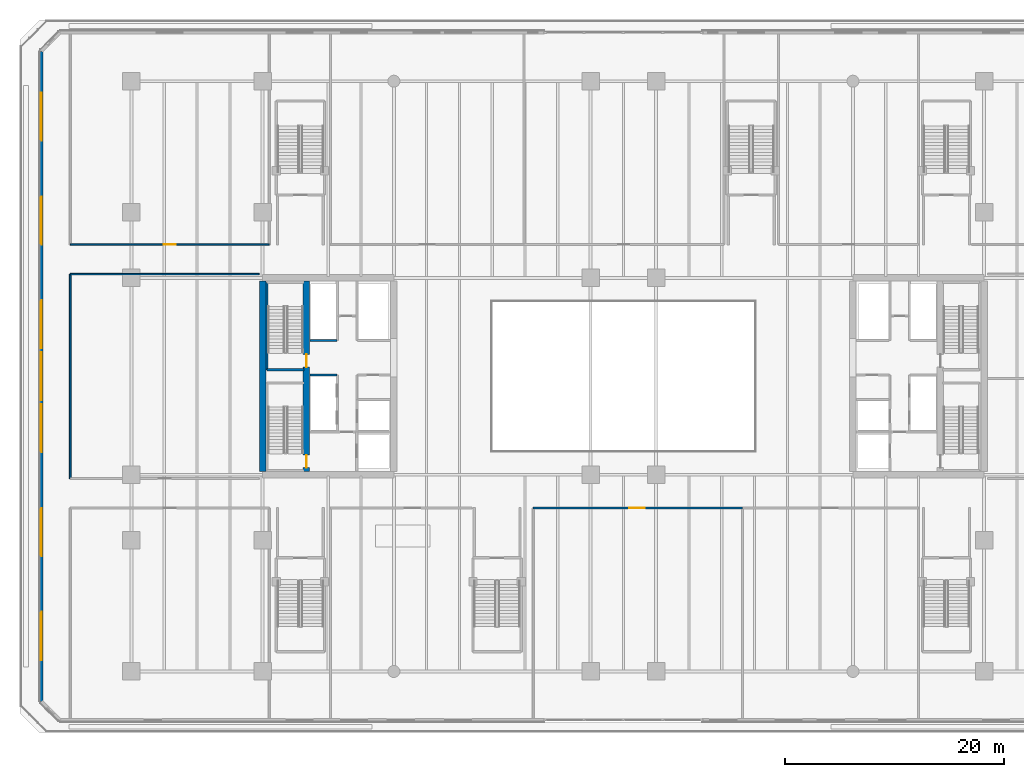
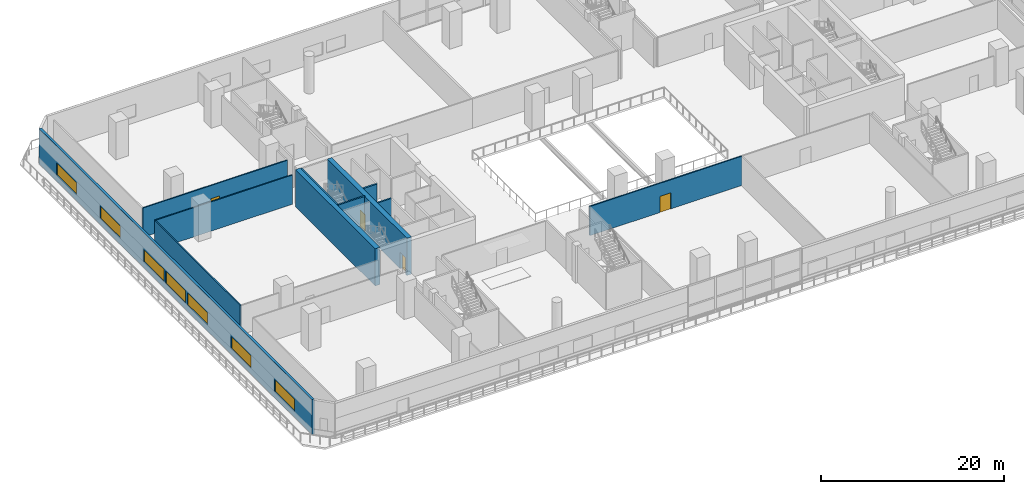
# One storey, part 12 of 27: 11 walls, 7 windows, 4 doors, 11 openings.
"""IFC4 building model written with IfcOpenShell, lengths in metres."""

from ifc_helpers import new_model, si_unit, direction, frame, frame_2d, origin, place, context, subcontext, project, spatial, rectangle, extrude, material, layer, layer_set, type_object, element, fill, save


model = new_model("IFC4")

# Units and contexts
model_context = context("Model", 3, precision=1e-05, world=origin(), true_north=direction((0.0, 1.0)))
body_context = subcontext(model_context, "Body", "Model", "MODEL_VIEW")
ifc_project = project(units=[si_unit("LENGTHUNIT", "METRE"), si_unit("AREAUNIT", "SQUARE_METRE"), si_unit("VOLUMEUNIT", "CUBIC_METRE"), si_unit("PLANEANGLEUNIT", "RADIAN"), si_unit("MASSUNIT", "GRAM", prefix="KILO")], contexts=[model_context])

# Site, building, storey
site_placement = place(None, origin())
site = spatial("IfcSite", under=ifc_project, at=site_placement, CompositionType="ELEMENT")
building_placement = place(site_placement, origin())
building = spatial("IfcBuilding", under=site, at=building_placement, Name="Tanjung Sevakor Pilgrim Tower", CompositionType="ELEMENT")
storey_placement = place(building_placement, frame((0.0, 0.0, 9.89990234375)))
storey = spatial("IfcBuildingStorey", under=building, at=storey_placement, Name="L03", CompositionType="ELEMENT", Elevation=9.89990234375)

# Wall
ifc_material_1 = material(Name="Concrete C60/75", Category="concrete")
ifc_layer_1 = layer(ifc_material_1, 0.60009765625)
ifc_layer_set_1 = layer_set([ifc_layer_1], Name="WALL-CW-600")
wall_type_1 = type_object("IfcWallType", Name="WALL-CW-600", PredefinedType="SHEAR", material=ifc_layer_set_1)
wall_1_placement = place(storey_placement, frame((24.0, 24.89990234375, 0.0), z_axis=(0.0, 0.0, 1.0), x_axis=(0.0, 1.0, 0.0)))
element("IfcWall", 1, at=wall_1_placement, inside=storey, type_object=wall_type_1, Name="L03 W Core Outer Shear Wall", PredefinedType="SHEAR", context=body_context, shape_type="SweptSolid", body=[
    extrude(rectangle(XDim=17.400146484375, YDim=0.60009765625, at=frame_2d((8.7001953125, 0.0))), origin(), (0.0, 0.0, 1.0), 4.9501953125),
])

# Wall, openings, doors
wall_2_placement = place(storey_placement, frame((28.0, 24.89990234375, 0.0), z_axis=(0.0, 0.0, 1.0), x_axis=(0.0, 1.0, 0.0)))
wall_2 = element("IfcWall", 2, at=wall_2_placement, inside=storey, type_object=wall_type_1, Name="L03 W Core Stair Spine Wall", PredefinedType="SHEAR", context=body_context, shape_type="SweptSolid", body=[
    extrude(rectangle(XDim=17.400146484375, YDim=0.60009765625, at=frame_2d((8.7001953125, 0.0))), origin(), (0.0, 0.0, 1.0), 4.9501953125),
])
opening_1_placement = place(wall_2_placement, frame((0.35009765625, 0.0, 0.0)))
opening_1 = element("IfcOpeningElement", 3, at=opening_1_placement, cuts=wall_2, Name="Opening ID-ST1", PredefinedType="OPENING", context=body_context, shape_type="SweptSolid", body=[
    extrude(rectangle(XDim=1.14990234375, YDim=2.14990234375, at=frame_2d((0.574951171875, 1.074951171875))), frame((0.0, 0.31005859375, 0.0), z_axis=(0.0, -1.0, 0.0), x_axis=(1.0, 0.0, 0.0)), (0.0, 0.0, 1.0), 0.6201171875),
])
opening_2_placement = place(wall_2_placement, frame((9.550048828125, 0.0, 0.0)))
opening_2 = element("IfcOpeningElement", 4, at=opening_2_placement, cuts=wall_2, Name="Opening ID-ST1", PredefinedType="OPENING", context=body_context, shape_type="SweptSolid", body=[
    extrude(rectangle(XDim=1.14990234375, YDim=2.14990234375, at=frame_2d((0.574951171875, 1.074951171875))), frame((0.0, 0.31005859375, 0.0), z_axis=(0.0, -1.0, 0.0), x_axis=(1.0, 0.0, 0.0)), (0.0, 0.0, 1.0), 0.6201171875),
])
ifc_material_2 = material(Name="Fire-Rated Steel S355J2", Category="steel")
door_type_1 = type_object("IfcDoorType", Name="DT-FIRE-1150", OperationType="NOTDEFINED", PredefinedType="DOOR", material=ifc_material_2)
door_1_placement = place(opening_1_placement, origin())
door_1 = element("IfcDoor", 5, at=door_1_placement, inside=storey, type_object=door_type_1, Name="L03 TS-W1 Stair Fire Door", OperationType="SINGLE_SWING_RIGHT", OverallHeight=2.14990234375, OverallWidth=1.14990234375, PredefinedType="DOOR", context=body_context, shape_type="SweptSolid", body=[
    extrude(rectangle(XDim=1.14990234375, YDim=2.14990234375, at=frame_2d((0.574951171875, 1.074951171875))), frame((0.0, 0.02490234375, 0.0), z_axis=(0.0, -1.0, 0.0), x_axis=(1.0, 0.0, 0.0)), (0.0, 0.0, 1.0), 0.050048828125),
])
fill(opening_1, door_1)
door_2_placement = place(opening_2_placement, origin())
door_2 = element("IfcDoor", 6, at=door_2_placement, inside=storey, type_object=door_type_1, Name="L03 TS-W2 Stair Fire Door", OperationType="SINGLE_SWING_LEFT", OverallHeight=2.14990234375, OverallWidth=1.14990234375, PredefinedType="DOOR", context=body_context, shape_type="SweptSolid", body=[
    extrude(rectangle(XDim=1.14990234375, YDim=2.14990234375, at=frame_2d((0.574951171875, 1.074951171875))), frame((0.0, 0.02490234375, 0.0), z_axis=(0.0, -1.0, 0.0), x_axis=(1.0, 0.0, 0.0)), (0.0, 0.0, 1.0), 0.050048828125),
])
fill(opening_2, door_2)

# Wall, opening, door
ifc_material_3 = material(Name="Concrete C40/50", Category="concrete")
ifc_layer_2 = layer(ifc_material_3, 0.14990234375)
ifc_layer_set_2 = layer_set([ifc_layer_2], Name="WT-COMP-150")
wall_type_2 = type_object("IfcWallType", Name="WT-COMP-150", PredefinedType="SOLIDWALL", material=ifc_layer_set_2)
wall_3_placement = place(storey_placement, frame((48.75, 21.550048828125, 0.0), z_axis=(0.0, 0.0, 1.0), x_axis=(1.0, 0.0, 0.0)))
wall_3 = element("IfcWall", 7, at=wall_3_placement, inside=storey, type_object=wall_type_2, Name="L03 Partition IW-L03-044", PredefinedType="SOLIDWALL", context=body_context, shape_type="SweptSolid", body=[
    extrude(rectangle(XDim=19.14990234375, YDim=0.14990234375, at=frame_2d((9.574951171875, 0.0))), origin(), (0.0, 0.0, 1.0), 3.889892578125),
])
opening_3_placement = place(wall_3_placement, frame((8.800048828125, 0.0, 0.0)))
opening_3 = element("IfcOpeningElement", 8, at=opening_3_placement, cuts=wall_3, Name="Opening ID-HD1", PredefinedType="OPENING", context=body_context, shape_type="SweptSolid", body=[
    extrude(rectangle(XDim=1.39990234375, YDim=2.14990234375, at=frame_2d((0.699951171875, 1.074951171875))), frame((0.0, 0.0849609375, 0.0), z_axis=(0.0, -1.0, 0.0), x_axis=(1.0, 0.0, 0.0)), (0.0, 0.0, 1.0), 0.169921875),
])
ifc_material_4 = material(Name="Hardwood Timber", Category="wood")
door_type_2 = type_object("IfcDoorType", Name="DT-INT-1400", OperationType="DOUBLE_DOOR_SINGLE_SWING", PredefinedType="DOOR", material=ifc_material_4)
door_3_placement = place(opening_3_placement, origin())
door_3 = element("IfcDoor", 9, at=door_3_placement, inside=storey, type_object=door_type_2, Name="L03 Mid Dining Door", OperationType="SINGLE_SWING_RIGHT", OverallHeight=2.14990234375, OverallWidth=1.39990234375, PredefinedType="DOOR", context=body_context, shape_type="SweptSolid", body=[
    extrude(rectangle(XDim=1.39990234375, YDim=2.14990234375, at=frame_2d((0.699951171875, 1.074951171875))), frame((0.0, 0.02490234375, 0.0), z_axis=(0.0, -1.0, 0.0), x_axis=(1.0, 0.0, 0.0)), (0.0, 0.0, 1.0), 0.050048828125),
])
fill(opening_3, door_3)

# Walls
wall_4_placement = place(storey_placement, frame((6.39990234375, 42.949951171875, 0.0), z_axis=(0.0, 0.0, 1.0), x_axis=(1.0, 0.0, 0.0)))
element("IfcWall", 10, at=wall_4_placement, inside=storey, type_object=wall_type_2, Name="L03 Partition IW-L03-063", PredefinedType="SOLIDWALL", context=body_context, shape_type="SweptSolid", body=[
    extrude(rectangle(XDim=17.280029296875, YDim=0.14990234375, at=frame_2d((8.64013671875, 0.0))), origin(), (0.0, 0.0, 1.0), 3.889892578125),
])
wall_5_placement = place(storey_placement, frame((6.39990234375, 24.25, 0.0), z_axis=(0.0, 0.0, 1.0), x_axis=(0.0, 1.0, 0.0)))
element("IfcWall", 11, at=wall_5_placement, inside=storey, type_object=wall_type_2, Name="L03 Partition IW-L03-064", PredefinedType="SOLIDWALL", context=body_context, shape_type="SweptSolid", body=[
    extrude(rectangle(XDim=18.699951171875, YDim=0.14990234375, at=frame_2d((9.35009765625, 0.0))), origin(), (0.0, 0.0, 1.0), 3.889892578125),
])

# Wall, opening, door
wall_6_placement = place(storey_placement, frame((6.39990234375, 45.64990234375, 0.0), z_axis=(0.0, 0.0, 1.0), x_axis=(1.0, 0.0, 0.0)))
wall_6 = element("IfcWall", 12, at=wall_6_placement, inside=storey, type_object=wall_type_2, Name="L03 Partition IW-L03-065", PredefinedType="SOLIDWALL", context=body_context, shape_type="SweptSolid", body=[
    extrude(rectangle(XDim=18.2001953125, YDim=0.14990234375, at=frame_2d((9.10009765625, 0.0))), origin(), (0.0, 0.0, 1.0), 3.889892578125),
])
opening_4_placement = place(wall_6_placement, frame((8.550048828125, 0.0, 0.0)))
opening_4 = element("IfcOpeningElement", 13, at=opening_4_placement, cuts=wall_6, Name="Opening ID-RM2", PredefinedType="OPENING", context=body_context, shape_type="SweptSolid", body=[
    extrude(rectangle(XDim=1.10009765625, YDim=2.14990234375, at=frame_2d((0.550048828125, 1.074951171875))), frame((0.0, 0.0849609375, 0.0), z_axis=(0.0, -1.0, 0.0), x_axis=(1.0, 0.0, 0.0)), (0.0, 0.0, 1.0), 0.169921875),
])
ifc_material_5 = material(Name="Hardwood Timber", Category="wood")
door_type_3 = type_object("IfcDoorType", Name="DT-INT-1100", OperationType="NOTDEFINED", PredefinedType="DOOR", material=ifc_material_5)
door_4_placement = place(opening_4_placement, origin())
door_4 = element("IfcDoor", 14, at=door_4_placement, inside=storey, type_object=door_type_3, Name="L03 NW Seminar Door", OperationType="SINGLE_SWING_RIGHT", OverallHeight=2.14990234375, OverallWidth=1.10009765625, PredefinedType="DOOR", context=body_context, shape_type="SweptSolid", body=[
    extrude(rectangle(XDim=1.10009765625, YDim=2.14990234375, at=frame_2d((0.550048828125, 1.074951171875))), frame((0.0, 0.02490234375, 0.0), z_axis=(0.0, -1.0, 0.0), x_axis=(1.0, 0.0, 0.0)), (0.0, 0.0, 1.0), 0.050048828125),
])
fill(opening_4, door_4)

# Wall, openings, windows
ifc_material_6 = material(Name="Precast concrete C45/55", Category="concrete")
ifc_layer_3 = layer(ifc_material_6, 0.300048828125)
ifc_layer_set_3 = layer_set([ifc_layer_3], Name="WT-EW-STN1")
wall_type_3 = type_object("IfcWallType", Name="WT-EW-STN1", PredefinedType="SOLIDWALL", material=ifc_layer_set_3)
wall_7_placement = place(storey_placement, frame((3.75, 63.337890625, 0.0), z_axis=(0.0, 0.0, 1.0), x_axis=(0.0, -1.0, 0.0)))
wall_7 = element("IfcWall", 15, at=wall_7_placement, inside=storey, type_object=wall_type_3, Name="L03 MAIN Exterior Wall 7", PredefinedType="SOLIDWALL", context=body_context, shape_type="SweptSolid", body=[
    extrude(rectangle(XDim=59.475830078125, YDim=0.300048828125, at=frame_2d((29.73779296875, 0.0))), origin(), (0.0, 0.0, 1.0), 4.669921875),
])
opening_5_placement = place(wall_7_placement, frame((27.537841796875, 0.0, 0.780029296875)))
opening_5 = element("IfcOpeningElement", 16, at=opening_5_placement, cuts=wall_7, Name="Opening WN-ENDW-1660", PredefinedType="OPENING", context=body_context, shape_type="SweptSolid", body=[
    extrude(rectangle(XDim=4.39990234375, YDim=1.659912109375, at=frame_2d((2.199951171875, 0.830078125))), frame((0.0, 0.159912109375, 0.0), z_axis=(0.0, -1.0, 0.0), x_axis=(1.0, 0.0, 0.0)), (0.0, 0.0, 1.0), 0.320068359375),
])
opening_6_placement = place(wall_7_placement, frame((3.787841796875, 0.0, 0.780029296875)))
opening_6 = element("IfcOpeningElement", 17, at=opening_6_placement, cuts=wall_7, Name="Opening WN-ENDW-1660", PredefinedType="OPENING", context=body_context, shape_type="SweptSolid", body=[
    extrude(rectangle(XDim=4.39990234375, YDim=1.659912109375, at=frame_2d((2.199951171875, 0.830078125))), frame((0.0, 0.159912109375, 0.0), z_axis=(0.0, -1.0, 0.0), x_axis=(1.0, 0.0, 0.0)), (0.0, 0.0, 1.0), 0.320068359375),
])
opening_7_placement = place(wall_7_placement, frame((13.287841796875, 0.0, 0.780029296875)))
opening_7 = element("IfcOpeningElement", 18, at=opening_7_placement, cuts=wall_7, Name="Opening WN-ENDW-1660", PredefinedType="OPENING", context=body_context, shape_type="SweptSolid", body=[
    extrude(rectangle(XDim=4.39990234375, YDim=1.659912109375, at=frame_2d((2.199951171875, 0.830078125))), frame((0.0, 0.159912109375, 0.0), z_axis=(0.0, -1.0, 0.0), x_axis=(1.0, 0.0, 0.0)), (0.0, 0.0, 1.0), 0.320068359375),
])
opening_8_placement = place(wall_7_placement, frame((22.787841796875, 0.0, 0.780029296875)))
opening_8 = element("IfcOpeningElement", 19, at=opening_8_placement, cuts=wall_7, Name="Opening WN-ENDW-1660", PredefinedType="OPENING", context=body_context, shape_type="SweptSolid", body=[
    extrude(rectangle(XDim=4.39990234375, YDim=1.659912109375, at=frame_2d((2.199951171875, 0.830078125))), frame((0.0, 0.159912109375, 0.0), z_axis=(0.0, -1.0, 0.0), x_axis=(1.0, 0.0, 0.0)), (0.0, 0.0, 1.0), 0.320068359375),
])
opening_9_placement = place(wall_7_placement, frame((32.287841796875, 0.0, 0.780029296875)))
opening_9 = element("IfcOpeningElement", 20, at=opening_9_placement, cuts=wall_7, Name="Opening WN-ENDW-1660", PredefinedType="OPENING", context=body_context, shape_type="SweptSolid", body=[
    extrude(rectangle(XDim=4.39990234375, YDim=1.659912109375, at=frame_2d((2.199951171875, 0.830078125))), frame((0.0, 0.159912109375, 0.0), z_axis=(0.0, -1.0, 0.0), x_axis=(1.0, 0.0, 0.0)), (0.0, 0.0, 1.0), 0.320068359375),
])
opening_10_placement = place(wall_7_placement, frame((41.787841796875, 0.0, 0.780029296875)))
opening_10 = element("IfcOpeningElement", 21, at=opening_10_placement, cuts=wall_7, Name="Opening WN-ENDW-1660", PredefinedType="OPENING", context=body_context, shape_type="SweptSolid", body=[
    extrude(rectangle(XDim=4.39990234375, YDim=1.659912109375, at=frame_2d((2.199951171875, 0.830078125))), frame((0.0, 0.159912109375, 0.0), z_axis=(0.0, -1.0, 0.0), x_axis=(1.0, 0.0, 0.0)), (0.0, 0.0, 1.0), 0.320068359375),
])
opening_11_placement = place(wall_7_placement, frame((51.287841796875, 0.0, 0.780029296875)))
opening_11 = element("IfcOpeningElement", 22, at=opening_11_placement, cuts=wall_7, Name="Opening WN-ENDW-1660", PredefinedType="OPENING", context=body_context, shape_type="SweptSolid", body=[
    extrude(rectangle(XDim=4.39990234375, YDim=1.659912109375, at=frame_2d((2.199951171875, 0.830078125))), frame((0.0, 0.159912109375, 0.0), z_axis=(0.0, -1.0, 0.0), x_axis=(1.0, 0.0, 0.0)), (0.0, 0.0, 1.0), 0.320068359375),
])
ifc_material_7 = material(Name="Thermally Broken Aluminium and Low-E Glass", Category="aluminium")
window_type = type_object("IfcWindowType", Name="WTYP-WN-ENDW-1660", PartitioningType="DOUBLE_PANEL_VERTICAL", PredefinedType="WINDOW", material=ifc_material_7)
window_1_placement = place(opening_5_placement, origin())
window_1 = element("IfcWindow", 23, at=window_1_placement, inside=storey, type_object=window_type, Name="L03 Facade Window 01", OverallHeight=1.659912109375, OverallWidth=4.39990234375, PartitioningType="SINGLE_PANEL", PredefinedType="WINDOW", context=body_context, shape_type="SweptSolid", body=[
    extrude(rectangle(XDim=4.39990234375, YDim=1.659912109375, at=frame_2d((2.199951171875, 0.830078125))), frame((0.0, 0.030029296875, 0.0), z_axis=(0.0, -1.0, 0.0), x_axis=(1.0, 0.0, 0.0)), (0.0, 0.0, 1.0), 0.06005859375),
])
fill(opening_5, window_1)
window_2_placement = place(opening_6_placement, origin())
window_2 = element("IfcWindow", 24, at=window_2_placement, inside=storey, type_object=window_type, Name="L03 Facade Window 02", OverallHeight=1.659912109375, OverallWidth=4.39990234375, PartitioningType="SINGLE_PANEL", PredefinedType="WINDOW", context=body_context, shape_type="SweptSolid", body=[
    extrude(rectangle(XDim=4.39990234375, YDim=1.659912109375, at=frame_2d((2.199951171875, 0.830078125))), frame((0.0, 0.030029296875, 0.0), z_axis=(0.0, -1.0, 0.0), x_axis=(1.0, 0.0, 0.0)), (0.0, 0.0, 1.0), 0.06005859375),
])
fill(opening_6, window_2)
window_3_placement = place(opening_7_placement, origin())
window_3 = element("IfcWindow", 25, at=window_3_placement, inside=storey, type_object=window_type, Name="L03 Facade Window 03", OverallHeight=1.659912109375, OverallWidth=4.39990234375, PartitioningType="SINGLE_PANEL", PredefinedType="WINDOW", context=body_context, shape_type="SweptSolid", body=[
    extrude(rectangle(XDim=4.39990234375, YDim=1.659912109375, at=frame_2d((2.199951171875, 0.830078125))), frame((0.0, 0.030029296875, 0.0), z_axis=(0.0, -1.0, 0.0), x_axis=(1.0, 0.0, 0.0)), (0.0, 0.0, 1.0), 0.06005859375),
])
fill(opening_7, window_3)
window_4_placement = place(opening_8_placement, origin())
window_4 = element("IfcWindow", 26, at=window_4_placement, inside=storey, type_object=window_type, Name="L03 Facade Window 04", OverallHeight=1.659912109375, OverallWidth=4.39990234375, PartitioningType="SINGLE_PANEL", PredefinedType="WINDOW", context=body_context, shape_type="SweptSolid", body=[
    extrude(rectangle(XDim=4.39990234375, YDim=1.659912109375, at=frame_2d((2.199951171875, 0.830078125))), frame((0.0, 0.030029296875, 0.0), z_axis=(0.0, -1.0, 0.0), x_axis=(1.0, 0.0, 0.0)), (0.0, 0.0, 1.0), 0.06005859375),
])
fill(opening_8, window_4)
window_5_placement = place(opening_9_placement, origin())
window_5 = element("IfcWindow", 27, at=window_5_placement, inside=storey, type_object=window_type, Name="L03 Facade Window 05", OverallHeight=1.659912109375, OverallWidth=4.39990234375, PartitioningType="SINGLE_PANEL", PredefinedType="WINDOW", context=body_context, shape_type="SweptSolid", body=[
    extrude(rectangle(XDim=4.39990234375, YDim=1.659912109375, at=frame_2d((2.199951171875, 0.830078125))), frame((0.0, 0.030029296875, 0.0), z_axis=(0.0, -1.0, 0.0), x_axis=(1.0, 0.0, 0.0)), (0.0, 0.0, 1.0), 0.06005859375),
])
fill(opening_9, window_5)
window_6_placement = place(opening_10_placement, origin())
window_6 = element("IfcWindow", 28, at=window_6_placement, inside=storey, type_object=window_type, Name="L03 Facade Window 06", OverallHeight=1.659912109375, OverallWidth=4.39990234375, PartitioningType="SINGLE_PANEL", PredefinedType="WINDOW", context=body_context, shape_type="SweptSolid", body=[
    extrude(rectangle(XDim=4.39990234375, YDim=1.659912109375, at=frame_2d((2.199951171875, 0.830078125))), frame((0.0, 0.030029296875, 0.0), z_axis=(0.0, -1.0, 0.0), x_axis=(1.0, 0.0, 0.0)), (0.0, 0.0, 1.0), 0.06005859375),
])
fill(opening_10, window_6)
window_7_placement = place(opening_11_placement, origin())
window_7 = element("IfcWindow", 29, at=window_7_placement, inside=storey, type_object=window_type, Name="L03 Facade Window 07", OverallHeight=1.659912109375, OverallWidth=4.39990234375, PartitioningType="SINGLE_PANEL", PredefinedType="WINDOW", context=body_context, shape_type="SweptSolid", body=[
    extrude(rectangle(XDim=4.39990234375, YDim=1.659912109375, at=frame_2d((2.199951171875, 0.830078125))), frame((0.0, 0.030029296875, 0.0), z_axis=(0.0, -1.0, 0.0), x_axis=(1.0, 0.0, 0.0)), (0.0, 0.0, 1.0), 0.06005859375),
])
fill(opening_11, window_7)

# Walls
ifc_material_8 = material(Name="Concrete C40/50", Category="concrete")
ifc_layer_4 = layer(ifc_material_8, 0.199951171875)
ifc_layer_set_4 = layer_set([ifc_layer_4], Name="WT-FIRE-200")
wall_type_4 = type_object("IfcWallType", Name="WT-FIRE-200", PredefinedType="SOLIDWALL", material=ifc_layer_set_4)
wall_8_placement = place(storey_placement, frame((24.39990234375, 34.199951171875, 0.0), z_axis=(0.0, 0.0, 1.0), x_axis=(1.0, 0.0, 0.0)))
element("IfcWall", 30, at=wall_8_placement, inside=storey, type_object=wall_type_4, Name="L03 TS-W2 Shaft Wall 1", PredefinedType="SOLIDWALL", context=body_context, shape_type="SweptSolid", body=[
    extrude(rectangle(XDim=3.400146484375, YDim=0.199951171875, at=frame_2d((1.7001953125, 0.0))), origin(), (0.0, 0.0, 1.0), 4.9501953125),
])
wall_9_placement = place(storey_placement, frame((24.39990234375, 42.199951171875, 0.0), z_axis=(0.0, 0.0, 1.0), x_axis=(0.0, -1.0, 0.0)))
element("IfcWall", 31, at=wall_9_placement, inside=storey, type_object=wall_type_4, Name="L03 TS-W2 Shaft Wall 3", PredefinedType="SOLIDWALL", context=body_context, shape_type="SweptSolid", body=[
    extrude(rectangle(XDim=8.0, YDim=0.199951171875, at=frame_2d((4.0, 0.0))), origin(), (0.0, 0.0, 1.0), 4.9501953125),
])
ifc_material_9 = material(Name="Concrete C40/50", Category="concrete")
ifc_layer_5 = layer(ifc_material_9, 0.199951171875)
ifc_layer_set_5 = layer_set([ifc_layer_5], Name="WT-FPRT-200")
wall_type_5 = type_object("IfcWallType", Name="WT-FPRT-200", PredefinedType="SOLIDWALL", material=ifc_layer_set_5)
for number, where, z_axis, x_axis, name in (
    (32, (28.320068359375, 33.719970703125, 0.0), (0.0, 0.0, 1.0), (1.0, 0.0, 0.0), "L03 Partition IW-L03-004"),
    (33, (28.320068359375, 36.8798828125, 0.0), (0.0, 0.0, 1.0), (1.0, 0.0, 0.0), "L03 Partition IW-L03-010"),
):
    element("IfcWall", number, at=place(storey_placement, frame(where, z_axis=z_axis, x_axis=x_axis)), inside=storey, type_object=wall_type_5, Name=name, PredefinedType="SOLIDWALL", context=body_context, shape_type="SweptSolid", body=[
        extrude(rectangle(XDim=2.47998046875, YDim=0.199951171875, at=frame_2d((1.239990234375, 0.0))), origin(), (0.0, 0.0, 1.0), 3.889892578125),
    ])

save(model, "model.ifc")
